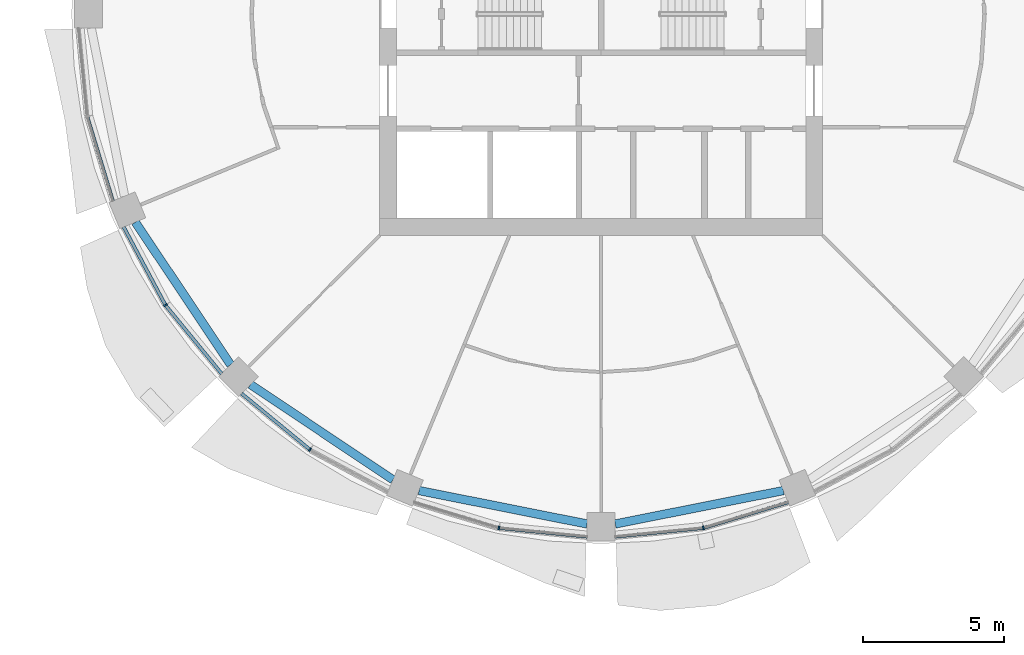
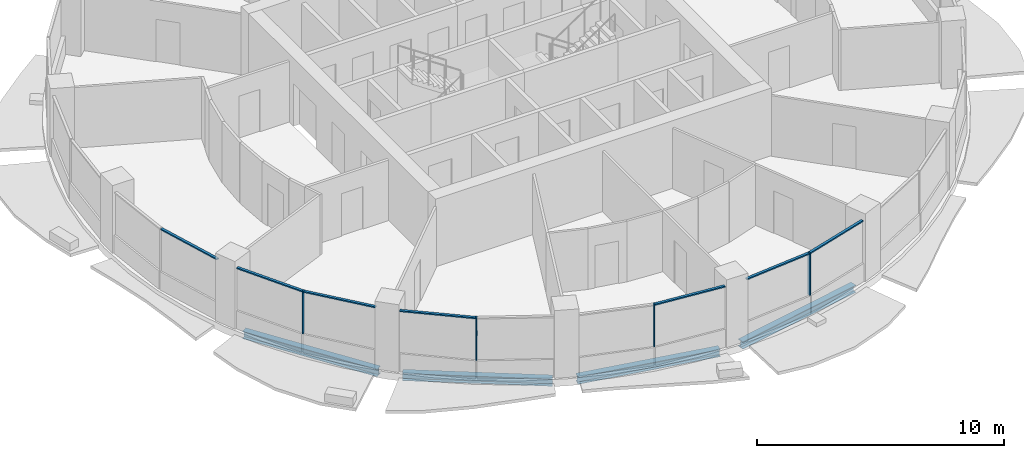
# One storey, part 2 of 15: 11 members, 4 beams, 5 elements without a shape of their own.
"""IFC4 building model written with IfcOpenShell, lengths in metres."""

from ifc_helpers import new_model, si_unit, direction, frame, origin, origin_2d, place, context, subcontext, project, spatial, rectangle, i_section, extrude, material, material_profile, profile_set, type_object, element, aggregate, save


model = new_model("IFC4")

# Units and contexts
model_context = context("Model", 3, precision=1e-05, world=origin(), true_north=direction((0.0, 1.0)))
body_context = subcontext(model_context, "Body", "Model", "MODEL_VIEW")
ifc_project = project(units=[si_unit("LENGTHUNIT", "METRE"), si_unit("AREAUNIT", "SQUARE_METRE"), si_unit("VOLUMEUNIT", "CUBIC_METRE"), si_unit("PLANEANGLEUNIT", "RADIAN"), si_unit("MASSUNIT", "GRAM", prefix="KILO")], contexts=[model_context])

# Site, building, storey
site_placement = place(None, origin())
site = spatial("IfcSite", under=ifc_project, at=site_placement, CompositionType="ELEMENT")
building_placement = place(site_placement, origin())
building = spatial("IfcBuilding", under=site, at=building_placement, Name="Polderwave Tower", CompositionType="ELEMENT")
storey_placement = place(building_placement, frame((0.0, 0.0, 154.449951171875)))
storey = spatial("IfcBuildingStorey", under=building, at=storey_placement, Name="L41", CompositionType="ELEMENT", Elevation=154.449951171875)

# Curtain wall, member
ifc_material_1 = material(Name="Aluminium 6063-T6 and glass", Category="aluminium")
curtain_wall_type = type_object("IfcCurtainWallType", Name="Office ribbon glazing wall", PredefinedType="NOTDEFINED", material=ifc_material_1)
curtain_wall_1_placement = place(storey_placement, origin())
curtain_wall_1 = element("IfcCurtainWall", 1, at=curtain_wall_1_placement, inside=storey, type_object=curtain_wall_type, Name="CW3 L41 09", PredefinedType="NOTDEFINED")
ifc_material_2 = material(Name="Aluminium 6063-T6", Category="aluminium")
ifc_material_profile_1 = material_profile(ifc_material_2, rectangle(XDim=0.139892578125, YDim=0.054931640625, at=origin_2d()), Name="AL 55x140")
ifc_profile_set_1 = profile_set([ifc_material_profile_1], Name="Aluminium 6063-T6")
member_type_1 = type_object("IfcMemberType", Name="Office ribbon glazing mullion 55x140", PredefinedType="MULLION", material=ifc_profile_set_1)
member_1_placement = place(storey_placement, frame((-15.489990234375, -10.35009765625, 0.900146484375), z_axis=(0.0, 0.0, 1.0), x_axis=(0.831484156812, 0.555548465006, 0.0)))
member_1 = element("IfcMember", 2, at=member_1_placement, type_object=member_type_1, Name="CW3 mullion 1", PredefinedType="MULLION", context=body_context, shape_type="SweptSolid", body=[
    extrude(rectangle(XDim=0.139892578125, YDim=0.054931640625, at=origin_2d()), origin(), (0.0, 0.0, 1.0), 2.099853515625),
])

curtain_wall_2_placement = place(storey_placement, origin())
curtain_wall_2 = element("IfcCurtainWall", 3, at=curtain_wall_2_placement, inside=storey, type_object=curtain_wall_type, Name="CW3 L41 10", PredefinedType="NOTDEFINED")
member_2_placement = place(storey_placement, frame((-10.35009765625, -15.489990234375, 0.900146484375), z_axis=(0.0, 0.0, 1.0), x_axis=(0.555548465006, 0.831484156812, 0.0)))
member_2 = element("IfcMember", 4, at=member_2_placement, type_object=member_type_1, Name="CW3 mullion 1", PredefinedType="MULLION", context=body_context, shape_type="SweptSolid", body=[
    extrude(rectangle(XDim=0.139892578125, YDim=0.054931640625, at=origin_2d()), origin(), (0.0, 0.0, 1.0), 2.099853515625),
])

curtain_wall_3_placement = place(storey_placement, origin())
curtain_wall_3 = element("IfcCurtainWall", 5, at=curtain_wall_3_placement, inside=storey, type_object=curtain_wall_type, Name="CW3 L41 11", PredefinedType="NOTDEFINED")
member_3_placement = place(storey_placement, frame((-3.635009765625, -18.27197265625, 0.900146484375), z_axis=(0.0, 0.0, 1.0), x_axis=(0.195083474838, 0.980786642367, 0.0)))
member_3 = element("IfcMember", 6, at=member_3_placement, type_object=member_type_1, Name="CW3 mullion 1", PredefinedType="MULLION", context=body_context, shape_type="SweptSolid", body=[
    extrude(rectangle(XDim=0.139892578125, YDim=0.054931640625, at=origin_2d()), origin(), (0.0, 0.0, 1.0), 2.099853515625),
])

curtain_wall_4_placement = place(storey_placement, origin())
curtain_wall_4 = element("IfcCurtainWall", 7, at=curtain_wall_4_placement, inside=storey, type_object=curtain_wall_type, Name="CW3 L41 12", PredefinedType="NOTDEFINED")
member_4_placement = place(storey_placement, frame((3.635009765625, -18.27197265625, 0.900146484375), z_axis=(0.0, 0.0, 1.0), x_axis=(-0.195083474838, 0.980786642367, 0.0)))
member_4 = element("IfcMember", 8, at=member_4_placement, type_object=member_type_1, Name="CW3 mullion 1", PredefinedType="MULLION", context=body_context, shape_type="SweptSolid", body=[
    extrude(rectangle(XDim=0.139892578125, YDim=0.054931640625, at=origin_2d()), origin(), (0.0, 0.0, 1.0), 2.099853515625),
])

curtain_wall_5_placement = place(storey_placement, origin())
curtain_wall_5 = element("IfcCurtainWall", 9, at=curtain_wall_5_placement, inside=storey, type_object=curtain_wall_type, Name="CW3 L41 08", PredefinedType="NOTDEFINED")
ifc_material_profile_2 = material_profile(ifc_material_2, rectangle(XDim=0.1201171875, YDim=0.06005859375, at=origin_2d()), Name="AL 60x120")
ifc_profile_set_2 = profile_set([ifc_material_profile_2], Name="Aluminium 6063-T6")
member_type_2 = type_object("IfcMemberType", Name="Office ribbon glazing transom 60x120", PredefinedType="USERDEFINED", material=ifc_profile_set_2)
member_5_placement = place(storey_placement, frame((-18.263916015625, -3.661376953125, 2.969970703125), z_axis=(0.290209241883, -0.956963215555, 0.0), x_axis=(0.956963215555, 0.290209241883, 0.0)))
member_5 = element("IfcMember", 10, at=member_5_placement, type_object=member_type_2, Name="CW3 transom 2", ObjectType="TRANSOM", PredefinedType="USERDEFINED", context=body_context, shape_type="SweptSolid", body=[
    extrude(rectangle(XDim=0.1201171875, YDim=0.06005859375, at=origin_2d()), origin(), (0.0, 0.0, 1.0), 3.121826171875),
])
aggregate(curtain_wall_5, [member_5])

# Member
member_6_placement = place(storey_placement, frame((-16.97509765625, -7.572021484375, 2.969970703125), z_axis=(0.471472684712, -0.881880665153, 0.0), x_axis=(0.881880665153, 0.471472684712, 0.0)))
member_6 = element("IfcMember", 11, at=member_6_placement, type_object=member_type_2, Name="CW3 transom 1", ObjectType="TRANSOM", PredefinedType="USERDEFINED", context=body_context, shape_type="SweptSolid", body=[
    extrude(rectangle(XDim=0.1201171875, YDim=0.06005859375, at=origin_2d()), origin(), (0.0, 0.0, 1.0), 3.12255859375),
])

member_7_placement = place(storey_placement, frame((-15.47265625, -10.371337890625, 2.969970703125), z_axis=(0.634382512988, -0.773019292913, 0.0), x_axis=(0.773019292913, 0.634382512988, 0.0)))
member_7 = element("IfcMember", 12, at=member_7_placement, type_object=member_type_2, Name="CW3 transom 2", ObjectType="TRANSOM", PredefinedType="USERDEFINED", context=body_context, shape_type="SweptSolid", body=[
    extrude(rectangle(XDim=0.1201171875, YDim=0.06005859375, at=origin_2d()), origin(), (0.0, 0.0, 1.0), 3.122314453125),
])

aggregate(curtain_wall_1, [member_1, member_6, member_7])

member_8_placement = place(storey_placement, frame((-12.784912109375, -13.491943359375, 2.969970703125), z_axis=(0.773019292913, -0.634382512988, 0.0), x_axis=(0.634382512988, 0.773019292913, 0.0)))
member_8 = element("IfcMember", 13, at=member_8_placement, type_object=member_type_2, Name="CW3 transom 1", ObjectType="TRANSOM", PredefinedType="USERDEFINED", context=body_context, shape_type="SweptSolid", body=[
    extrude(rectangle(XDim=0.1201171875, YDim=0.06005859375, at=origin_2d()), origin(), (0.0, 0.0, 1.0), 3.122314453125),
])

aggregate(curtain_wall_2, [member_2, member_8])

member_9_placement = place(storey_placement, frame((-3.607666015625, -18.274658203125, 2.969970703125), z_axis=(0.995174785119, -0.098118026186, 0.0), x_axis=(0.098118026186, 0.995174785119, 0.0)))
member_9 = element("IfcMember", 14, at=member_9_placement, type_object=member_type_2, Name="CW3 transom 2", ObjectType="TRANSOM", PredefinedType="USERDEFINED", context=body_context, shape_type="SweptSolid", body=[
    extrude(rectangle(XDim=0.1201171875, YDim=0.06005859375, at=origin_2d()), origin(), (0.0, 0.0, 1.0), 3.122802734375),
])

aggregate(curtain_wall_3, [member_3, member_9])

member_10_placement = place(storey_placement, frame((0.5, -18.5810546875, 2.969970703125), z_axis=(0.995174785119, 0.098118026186, 0.0), x_axis=(-0.098118026186, 0.995174785119, 0.0)))
member_10 = element("IfcMember", 15, at=member_10_placement, type_object=member_type_2, Name="CW3 transom 1", ObjectType="TRANSOM", PredefinedType="USERDEFINED", context=body_context, shape_type="SweptSolid", body=[
    extrude(rectangle(XDim=0.1201171875, YDim=0.06005859375, at=origin_2d()), origin(), (0.0, 0.0, 1.0), 3.122802734375),
])

member_11_placement = place(storey_placement, frame((3.661376953125, -18.263916015625, 2.969970703125), z_axis=(0.956963215555, 0.290209241883, 0.0), x_axis=(-0.290209241883, 0.956963215555, 0.0)))
member_11 = element("IfcMember", 16, at=member_11_placement, type_object=member_type_2, Name="CW3 transom 2", ObjectType="TRANSOM", PredefinedType="USERDEFINED", context=body_context, shape_type="SweptSolid", body=[
    extrude(rectangle(XDim=0.1201171875, YDim=0.06005859375, at=origin_2d()), origin(), (0.0, 0.0, 1.0), 3.121826171875),
])

aggregate(curtain_wall_4, [member_4, member_10, member_11])

# Beams
ifc_material_3 = material(Name="Steel S355", Category="steel")
ifc_material_profile_3 = material_profile(ifc_material_3, i_section(OverallWidth=0.300048828125, OverallDepth=0.360107421875, WebThickness=0.012451171875, FlangeThickness=0.0224609375, at=origin_2d()), Name="HE 360 B")
ifc_profile_set_3 = profile_set([ifc_material_profile_3], Name="Steel S355")
beam_type = type_object("IfcBeamType", Name="RING BEAM HE 360 B", PredefinedType="BEAM", material=ifc_profile_set_3)
for number, where, z_axis, x_axis, name in (
    (17, (-16.55908203125, -7.400146484375, -0.530029296875), (0.555550531273, -0.831482776251, 0.0), (0.831482776251, 0.555550531273, 0.0), "ST-RB-L41-09"),
    (18, (-12.466796875, -13.173828125, -0.530029296875), (0.831482776251, -0.555550531273, 0.0), (0.555550531273, 0.831482776251, 0.0), "ST-RB-L41-10"),
    (19, (-6.476318359375, -16.94189453125, -0.530029296875), (0.980786628445, -0.19508354483, 0.0), (0.19508354483, 0.980786628445, 0.0), "ST-RB-L41-11"),
    (20, (0.5, -18.130615234375, -0.530029296875), (0.980786628445, 0.19508354483, 0.0), (-0.19508354483, 0.980786628445, 0.0), "ST-RB-L41-12"),
):
    element("IfcBeam", number, at=place(storey_placement, frame(where, z_axis=z_axis, x_axis=x_axis)), inside=storey, type_object=beam_type, Name=name, PredefinedType="BEAM", context=body_context, shape_type="SweptSolid", body=[
        extrude(i_section(OverallWidth=0.300048828125, OverallDepth=0.360107421875, WebThickness=0.012451171875, FlangeThickness=0.0224609375, at=origin_2d()), origin(), (0.0, 0.0, 1.0), 6.093505859375),
    ])

save(model, "model.ifc")
